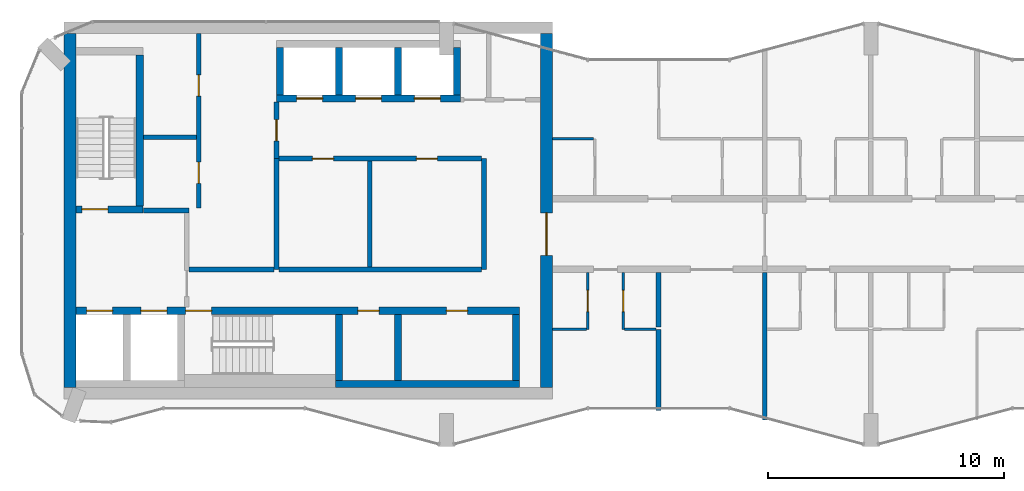
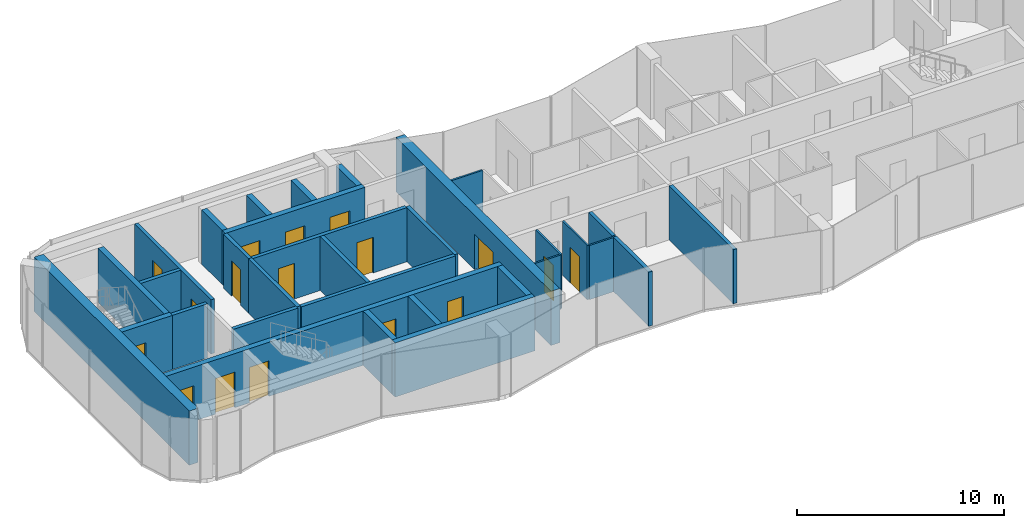
# One storey, part 6 of 9: 32 walls, 17 doors, 17 openings.
"""IFC4 building model written with IfcOpenShell, lengths in metres."""

from ifc_helpers import new_model, si_unit, direction, frame, frame_2d, origin, place, context, subcontext, project, spatial, rectangle, extrude, material, layer, layer_set, type_object, element, fill, save


model = new_model("IFC4")

# Units and contexts
model_context = context("Model", 3, precision=1e-05, world=origin(), true_north=direction((0.0, 1.0)))
body_context = subcontext(model_context, "Body", "Model", "MODEL_VIEW")
ifc_project = project(units=[si_unit("LENGTHUNIT", "METRE"), si_unit("AREAUNIT", "SQUARE_METRE"), si_unit("VOLUMEUNIT", "CUBIC_METRE"), si_unit("PLANEANGLEUNIT", "RADIAN"), si_unit("MASSUNIT", "GRAM", prefix="KILO")], contexts=[model_context])

# Site, building, storey
site_placement = place(None, origin())
site = spatial("IfcSite", under=ifc_project, at=site_placement, CompositionType="ELEMENT")
building_placement = place(site_placement, origin())
building = spatial("IfcBuilding", under=site, at=building_placement, Name="Plateau Cross Towers", CompositionType="ELEMENT")
storey_placement = place(building_placement, frame((0.0, 0.0, 232.89990234375)))
storey = spatial("IfcBuildingStorey", under=building, at=storey_placement, Name="L61", CompositionType="ELEMENT", Elevation=232.89990234375)

# Walls
ifc_material_1 = material(Name="Concrete block, plastered both sides", Category="concrete")
ifc_layer_1 = layer(ifc_material_1, 0.199951171875)
ifc_layer_set_1 = layer_set([ifc_layer_1], Name="Concrete block, plastered both sides")
wall_type_1 = type_object("IfcWallType", Name="Core partition 200", PredefinedType="PARTITIONING", material=ifc_layer_set_1)
wall_1_placement = place(storey_placement, frame((5.14990234375, 10.0, 0.0), z_axis=(0.0, 0.0, 1.0), x_axis=(1.0, 0.0, 0.0)))
element("IfcWall", 1, at=wall_1_placement, inside=storey, type_object=wall_type_1, Name="Core partition", PredefinedType="PARTITIONING", context=body_context, shape_type="SweptSolid", body=[
    extrude(rectangle(XDim=1.9501953125, YDim=0.199951171875, at=frame_2d((0.97509765625, 0.0))), origin(), (0.0, 0.0, 1.0), 3.2001953125),
])
wall_2_placement = place(storey_placement, frame((7.10009765625, 7.5, 0.0), z_axis=(0.0, 0.0, 1.0), x_axis=(1.0, 0.0, 0.0)))
element("IfcWall", 2, at=wall_2_placement, inside=storey, type_object=wall_type_1, Name="Core partition", PredefinedType="PARTITIONING", context=body_context, shape_type="SweptSolid", body=[
    extrude(rectangle(XDim=3.599853515625, YDim=0.199951171875, at=frame_2d((1.7998046875, 0.0))), origin(), (0.0, 0.0, 1.0), 3.2001953125),
])

# Wall, opening, door
wall_3_placement = place(storey_placement, frame((10.800048828125, 12.199951171875, 0.0), z_axis=(0.0, 0.0, 1.0), x_axis=(0.0, 1.0, 0.0)))
wall_3 = element("IfcWall", 3, at=wall_3_placement, inside=storey, type_object=wall_type_1, Name="Core partition", PredefinedType="PARTITIONING", context=body_context, shape_type="SweptSolid", body=[
    extrude(rectangle(XDim=2.400146484375, YDim=0.199951171875, at=frame_2d((1.2001953125, 0.0))), origin(), (0.0, 0.0, 1.0), 3.2001953125),
])
opening_1_placement = place(wall_3_placement, frame((0.75, 0.0, 0.0)))
opening_1 = element("IfcOpeningElement", 4, at=opening_1_placement, cuts=wall_3, Name="Opening RD1", PredefinedType="OPENING", context=body_context, shape_type="SweptSolid", body=[
    extrude(rectangle(XDim=0.89990234375, YDim=2.10009765625, at=frame_2d((0.449951171875, 1.050048828125))), frame((0.0, 0.10986328125, 0.0), z_axis=(0.0, -1.0, 0.0), x_axis=(1.0, 0.0, 0.0)), (0.0, 0.0, 1.0), 0.219970703125),
])
ifc_material_2 = material(Name="Timber, fire-resisting leaf", Category="wood")
door_type_1 = type_object("IfcDoorType", Name="Core service door 900", OperationType="NOTDEFINED", PredefinedType="DOOR", material=ifc_material_2)
door_1_placement = place(opening_1_placement, origin())
door_1 = element("IfcDoor", 5, at=door_1_placement, inside=storey, type_object=door_type_1, Name="Core service door RD1", OperationType="SINGLE_SWING_LEFT", OverallHeight=2.10009765625, OverallWidth=0.89990234375, PredefinedType="DOOR", context=body_context, shape_type="SweptSolid", body=[
    extrude(rectangle(XDim=0.89990234375, YDim=2.10009765625, at=frame_2d((0.449951171875, 1.050048828125))), frame((0.0, 0.02490234375, 0.0), z_axis=(0.0, -1.0, 0.0), x_axis=(1.0, 0.0, 0.0)), (0.0, 0.0, 1.0), 0.050048828125),
])
fill(opening_1, door_1)

# Walls
wall_4_placement = place(storey_placement, frame((10.800048828125, 7.5, 0.0), z_axis=(0.0, 0.0, 1.0), x_axis=(0.0, 1.0, 0.0)))
element("IfcWall", 6, at=wall_4_placement, inside=storey, type_object=wall_type_1, Name="Core partition", PredefinedType="PARTITIONING", context=body_context, shape_type="SweptSolid", body=[
    extrude(rectangle(XDim=4.699951171875, YDim=0.199951171875, at=frame_2d((2.35009765625, 0.0))), origin(), (0.0, 0.0, 1.0), 3.2001953125),
])
wall_5_placement = place(storey_placement, frame((10.89990234375, 7.5, 0.0), z_axis=(0.0, 0.0, 1.0), x_axis=(1.0, 0.0, 0.0)))
element("IfcWall", 7, at=wall_5_placement, inside=storey, type_object=wall_type_1, Name="Core partition", PredefinedType="PARTITIONING", context=body_context, shape_type="SweptSolid", body=[
    extrude(rectangle(XDim=8.60009765625, YDim=0.199951171875, at=frame_2d((4.300048828125, 0.0))), origin(), (0.0, 0.0, 1.0), 3.2001953125),
])
wall_6_placement = place(storey_placement, frame((19.60009765625, 7.5, 0.0), z_axis=(0.0, 0.0, 1.0), x_axis=(0.0, 1.0, 0.0)))
element("IfcWall", 8, at=wall_6_placement, inside=storey, type_object=wall_type_1, Name="Core partition", PredefinedType="PARTITIONING", context=body_context, shape_type="SweptSolid", body=[
    extrude(rectangle(XDim=4.699951171875, YDim=0.199951171875, at=frame_2d((2.35009765625, 0.0))), origin(), (0.0, 0.0, 1.0), 3.2001953125),
])

# Wall, openings, doors
wall_7_placement = place(storey_placement, frame((10.89990234375, 12.199951171875, 0.0), z_axis=(0.0, 0.0, 1.0), x_axis=(1.0, 0.0, 0.0)))
wall_7 = element("IfcWall", 9, at=wall_7_placement, inside=storey, type_object=wall_type_1, Name="Core partition", PredefinedType="PARTITIONING", context=body_context, shape_type="SweptSolid", body=[
    extrude(rectangle(XDim=8.60009765625, YDim=0.199951171875, at=frame_2d((4.300048828125, 0.0))), origin(), (0.0, 0.0, 1.0), 3.2001953125),
])
opening_2_placement = place(wall_7_placement, frame((1.425048828125, 0.0, 0.0)))
opening_2 = element("IfcOpeningElement", 10, at=opening_2_placement, cuts=wall_7, Name="Opening RD1", PredefinedType="OPENING", context=body_context, shape_type="SweptSolid", body=[
    extrude(rectangle(XDim=0.89990234375, YDim=2.10009765625, at=frame_2d((0.449951171875, 1.050048828125))), frame((0.0, 0.10986328125, 0.0), z_axis=(0.0, -1.0, 0.0), x_axis=(1.0, 0.0, 0.0)), (0.0, 0.0, 1.0), 0.219970703125),
])
opening_3_placement = place(wall_7_placement, frame((5.824951171875, 0.0, 0.0)))
opening_3 = element("IfcOpeningElement", 11, at=opening_3_placement, cuts=wall_7, Name="Opening RD1", PredefinedType="OPENING", context=body_context, shape_type="SweptSolid", body=[
    extrude(rectangle(XDim=0.89990234375, YDim=2.10009765625, at=frame_2d((0.449951171875, 1.050048828125))), frame((0.0, 0.10986328125, 0.0), z_axis=(0.0, -1.0, 0.0), x_axis=(1.0, 0.0, 0.0)), (0.0, 0.0, 1.0), 0.219970703125),
])
door_2_placement = place(opening_2_placement, origin())
door_2 = element("IfcDoor", 12, at=door_2_placement, inside=storey, type_object=door_type_1, Name="Core service door RD1", OperationType="SINGLE_SWING_LEFT", OverallHeight=2.10009765625, OverallWidth=0.89990234375, PredefinedType="DOOR", context=body_context, shape_type="SweptSolid", body=[
    extrude(rectangle(XDim=0.89990234375, YDim=2.10009765625, at=frame_2d((0.449951171875, 1.050048828125))), frame((0.0, 0.02490234375, 0.0), z_axis=(0.0, -1.0, 0.0), x_axis=(1.0, 0.0, 0.0)), (0.0, 0.0, 1.0), 0.050048828125),
])
fill(opening_2, door_2)
door_3_placement = place(opening_3_placement, origin())
door_3 = element("IfcDoor", 13, at=door_3_placement, inside=storey, type_object=door_type_1, Name="Core service door RD1", OperationType="SINGLE_SWING_LEFT", OverallHeight=2.10009765625, OverallWidth=0.89990234375, PredefinedType="DOOR", context=body_context, shape_type="SweptSolid", body=[
    extrude(rectangle(XDim=0.89990234375, YDim=2.10009765625, at=frame_2d((0.449951171875, 1.050048828125))), frame((0.0, 0.02490234375, 0.0), z_axis=(0.0, -1.0, 0.0), x_axis=(1.0, 0.0, 0.0)), (0.0, 0.0, 1.0), 0.050048828125),
])
fill(opening_3, door_3)

# Wall
wall_8_placement = place(storey_placement, frame((14.75, 7.60009765625, 0.0), z_axis=(0.0, 0.0, 1.0), x_axis=(0.0, 1.0, 0.0)))
element("IfcWall", 14, at=wall_8_placement, inside=storey, type_object=wall_type_1, Name="Core partition", PredefinedType="PARTITIONING", context=body_context, shape_type="SweptSolid", body=[
    extrude(rectangle(XDim=4.5, YDim=0.199951171875, at=frame_2d((2.25, 0.0))), origin(), (0.0, 0.0, 1.0), 3.2001953125),
])

# Wall, openings, doors
wall_9_placement = place(storey_placement, frame((7.5, 10.10009765625, 0.0), z_axis=(0.0, 0.0, 1.0), x_axis=(0.0, 1.0, 0.0)))
wall_9 = element("IfcWall", 15, at=wall_9_placement, inside=storey, type_object=wall_type_1, Name="Core partition", PredefinedType="PARTITIONING", context=body_context, shape_type="SweptSolid", body=[
    extrude(rectangle(XDim=7.39990234375, YDim=0.199951171875, at=frame_2d((3.699951171875, 0.0))), origin(), (0.0, 0.0, 1.0), 3.2001953125),
])
opening_4_placement = place(wall_9_placement, frame((1.050048828125, 0.0, 0.0)))
opening_4 = element("IfcOpeningElement", 16, at=opening_4_placement, cuts=wall_9, Name="Opening RD1", PredefinedType="OPENING", context=body_context, shape_type="SweptSolid", body=[
    extrude(rectangle(XDim=0.89990234375, YDim=2.10009765625, at=frame_2d((0.449951171875, 1.050048828125))), frame((0.0, 0.10986328125, 0.0), z_axis=(0.0, -1.0, 0.0), x_axis=(1.0, 0.0, 0.0)), (0.0, 0.0, 1.0), 0.219970703125),
])
opening_5_placement = place(wall_9_placement, frame((4.75, 0.0, 0.0)))
opening_5 = element("IfcOpeningElement", 17, at=opening_5_placement, cuts=wall_9, Name="Opening RD1", PredefinedType="OPENING", context=body_context, shape_type="SweptSolid", body=[
    extrude(rectangle(XDim=0.89990234375, YDim=2.10009765625, at=frame_2d((0.449951171875, 1.050048828125))), frame((0.0, 0.10986328125, 0.0), z_axis=(0.0, -1.0, 0.0), x_axis=(1.0, 0.0, 0.0)), (0.0, 0.0, 1.0), 0.219970703125),
])
door_4_placement = place(opening_4_placement, origin())
door_4 = element("IfcDoor", 18, at=door_4_placement, inside=storey, type_object=door_type_1, Name="Core service door RD1", OperationType="SINGLE_SWING_RIGHT", OverallHeight=2.10009765625, OverallWidth=0.89990234375, PredefinedType="DOOR", context=body_context, shape_type="SweptSolid", body=[
    extrude(rectangle(XDim=0.89990234375, YDim=2.10009765625, at=frame_2d((0.449951171875, 1.050048828125))), frame((0.0, 0.02490234375, 0.0), z_axis=(0.0, -1.0, 0.0), x_axis=(1.0, 0.0, 0.0)), (0.0, 0.0, 1.0), 0.050048828125),
])
fill(opening_4, door_4)
door_5_placement = place(opening_5_placement, origin())
door_5 = element("IfcDoor", 19, at=door_5_placement, inside=storey, type_object=door_type_1, Name="Core service door RD1", OperationType="SINGLE_SWING_RIGHT", OverallHeight=2.10009765625, OverallWidth=0.89990234375, PredefinedType="DOOR", context=body_context, shape_type="SweptSolid", body=[
    extrude(rectangle(XDim=0.89990234375, YDim=2.10009765625, at=frame_2d((0.449951171875, 1.050048828125))), frame((0.0, 0.02490234375, 0.0), z_axis=(0.0, -1.0, 0.0), x_axis=(1.0, 0.0, 0.0)), (0.0, 0.0, 1.0), 0.050048828125),
])
fill(opening_5, door_5)

# Walls
wall_10_placement = place(storey_placement, frame((5.14990234375, 13.10009765625, 0.0), z_axis=(0.0, 0.0, 1.0), x_axis=(1.0, 0.0, 0.0)))
element("IfcWall", 20, at=wall_10_placement, inside=storey, type_object=wall_type_1, Name="Core partition", PredefinedType="PARTITIONING", context=body_context, shape_type="SweptSolid", body=[
    extrude(rectangle(XDim=2.25, YDim=0.199951171875, at=frame_2d((1.125, 0.0))), origin(), (0.0, 0.0, 1.0), 3.2001953125),
])
ifc_material_3 = material(Name="Concrete C60/75", Category="concrete")
ifc_layer_2 = layer(ifc_material_3, 0.300048828125)
ifc_layer_set_2 = layer_set([ifc_layer_2], Name="Concrete C60/75")
wall_type_2 = type_object("IfcWallType", Name="Core shaft wall 300", PredefinedType="SHEAR", material=ifc_layer_set_2)
wall_11_placement = place(storey_placement, frame((13.300048828125, 2.64990234375, 0.0), z_axis=(0.0, 0.0, 1.0), x_axis=(1.0, 0.0, 0.0)))
element("IfcWall", 21, at=wall_11_placement, inside=storey, type_object=wall_type_2, Name="A-sb-back3@L61", PredefinedType="SHEAR", context=body_context, shape_type="SweptSolid", body=[
    extrude(rectangle(XDim=7.800048828125, YDim=0.300048828125, at=frame_2d((3.89990234375, 0.0))), origin(), (0.0, 0.0, 1.0), 3.2001953125),
])
for number, where, z_axis, x_axis, name in (
    (22, (13.449951171875, 2.800048828125, 0.0), (0.0, 0.0, 1.0), (0.0, 1.0, 0.0), "A-sb-v3@L61"),
    (23, (15.949951171875, 2.800048828125, 0.0), (0.0, 0.0, 1.0), (0.0, 1.0, 0.0), "A-sb-v4@L61"),
    (24, (20.949951171875, 2.800048828125, 0.0), (0.0, 0.0, 1.0), (0.0, 1.0, 0.0), "A-sb-v6@L61"),
):
    element("IfcWall", number, at=place(storey_placement, frame(where, z_axis=z_axis, x_axis=x_axis)), inside=storey, type_object=wall_type_2, Name=name, PredefinedType="SHEAR", context=body_context, shape_type="SweptSolid", body=[
        extrude(rectangle(XDim=2.800048828125, YDim=0.300048828125, at=frame_2d((1.39990234375, 0.0))), origin(), (0.0, 0.0, 1.0), 3.2001953125),
    ])

# Wall, openings, doors
wall_12_placement = place(storey_placement, frame((2.300048828125, 5.75, 0.0), z_axis=(0.0, 0.0, 1.0), x_axis=(1.0, 0.0, 0.0)))
wall_12 = element("IfcWall", 25, at=wall_12_placement, inside=storey, type_object=wall_type_2, Name="A-sb-front@L61", PredefinedType="SHEAR", context=body_context, shape_type="SweptSolid", body=[
    extrude(rectangle(XDim=18.800048828125, YDim=0.300048828125, at=frame_2d((9.39990234375, 0.0))), origin(), (0.0, 0.0, 1.0), 3.2001953125),
])
opening_6_placement = place(wall_12_placement, frame((4.64990234375, 0.0, 0.0)))
opening_6 = element("IfcOpeningElement", 26, at=opening_6_placement, cuts=wall_12, Name="Opening SD", PredefinedType="OPENING", context=body_context, shape_type="SweptSolid", body=[
    extrude(rectangle(XDim=1.10009765625, YDim=2.10009765625, at=frame_2d((0.550048828125, 1.050048828125))), frame((0.0, 0.159912109375, 0.0), z_axis=(0.0, -1.0, 0.0), x_axis=(1.0, 0.0, 0.0)), (0.0, 0.0, 1.0), 0.320068359375),
])
opening_7_placement = place(wall_12_placement, frame((0.449951171875, 0.0, 0.0)))
opening_7 = element("IfcOpeningElement", 27, at=opening_7_placement, cuts=wall_12, Name="Opening LD", PredefinedType="OPENING", context=body_context, shape_type="SweptSolid", body=[
    extrude(rectangle(XDim=1.10009765625, YDim=2.10009765625, at=frame_2d((0.550048828125, 1.050048828125))), frame((0.0, 0.159912109375, 0.0), z_axis=(0.0, -1.0, 0.0), x_axis=(1.0, 0.0, 0.0)), (0.0, 0.0, 1.0), 0.320068359375),
])
opening_8_placement = place(wall_12_placement, frame((2.75, 0.0, 0.0)))
opening_8 = element("IfcOpeningElement", 28, at=opening_8_placement, cuts=wall_12, Name="Opening LD", PredefinedType="OPENING", context=body_context, shape_type="SweptSolid", body=[
    extrude(rectangle(XDim=1.10009765625, YDim=2.10009765625, at=frame_2d((0.550048828125, 1.050048828125))), frame((0.0, 0.159912109375, 0.0), z_axis=(0.0, -1.0, 0.0), x_axis=(1.0, 0.0, 0.0)), (0.0, 0.0, 1.0), 0.320068359375),
])
opening_9_placement = place(wall_12_placement, frame((11.949951171875, 0.0, 0.0)))
opening_9 = element("IfcOpeningElement", 29, at=opening_9_placement, cuts=wall_12, Name="Opening RD2", PredefinedType="OPENING", context=body_context, shape_type="SweptSolid", body=[
    extrude(rectangle(XDim=0.89990234375, YDim=2.10009765625, at=frame_2d((0.449951171875, 1.050048828125))), frame((0.0, 0.159912109375, 0.0), z_axis=(0.0, -1.0, 0.0), x_axis=(1.0, 0.0, 0.0)), (0.0, 0.0, 1.0), 0.320068359375),
])
opening_10_placement = place(wall_12_placement, frame((15.699951171875, 0.0, 0.0)))
opening_10 = element("IfcOpeningElement", 30, at=opening_10_placement, cuts=wall_12, Name="Opening RD2", PredefinedType="OPENING", context=body_context, shape_type="SweptSolid", body=[
    extrude(rectangle(XDim=0.89990234375, YDim=2.10009765625, at=frame_2d((0.449951171875, 1.050048828125))), frame((0.0, 0.159912109375, 0.0), z_axis=(0.0, -1.0, 0.0), x_axis=(1.0, 0.0, 0.0)), (0.0, 0.0, 1.0), 0.320068359375),
])
ifc_material_4 = material(Name="Steel, fire-resisting leaf", Category="steel")
door_type_2 = type_object("IfcDoorType", Name="Core riser door 900", OperationType="NOTDEFINED", PredefinedType="DOOR", material=ifc_material_4)
door_6_placement = place(opening_9_placement, origin())
door_6 = element("IfcDoor", 31, at=door_6_placement, inside=storey, type_object=door_type_2, Name="Core riser door RD2", OperationType="SINGLE_SWING_LEFT", OverallHeight=2.10009765625, OverallWidth=0.89990234375, PredefinedType="DOOR", context=body_context, shape_type="SweptSolid", body=[
    extrude(rectangle(XDim=0.89990234375, YDim=2.10009765625, at=frame_2d((0.449951171875, 1.050048828125))), frame((0.0, 0.02490234375, 0.0), z_axis=(0.0, -1.0, 0.0), x_axis=(1.0, 0.0, 0.0)), (0.0, 0.0, 1.0), 0.050048828125),
])
fill(opening_9, door_6)
door_7_placement = place(opening_10_placement, origin())
door_7 = element("IfcDoor", 32, at=door_7_placement, inside=storey, type_object=door_type_2, Name="Core riser door RD2", OperationType="SINGLE_SWING_LEFT", OverallHeight=2.10009765625, OverallWidth=0.89990234375, PredefinedType="DOOR", context=body_context, shape_type="SweptSolid", body=[
    extrude(rectangle(XDim=0.89990234375, YDim=2.10009765625, at=frame_2d((0.449951171875, 1.050048828125))), frame((0.0, 0.02490234375, 0.0), z_axis=(0.0, -1.0, 0.0), x_axis=(1.0, 0.0, 0.0)), (0.0, 0.0, 1.0), 0.050048828125),
])
fill(opening_10, door_7)
ifc_material_5 = material(Name="Stainless steel, fire-resisting sliding leaves", Category="steel")
door_type_3 = type_object("IfcDoorType", Name="Lift landing door 1100", OperationType="NOTDEFINED", PredefinedType="DOOR", material=ifc_material_5)
door_8_placement = place(opening_7_placement, origin())
door_8 = element("IfcDoor", 33, at=door_8_placement, inside=storey, type_object=door_type_3, Name="Lift landing door LD", OperationType="DOUBLE_DOOR_SLIDING", OverallHeight=2.10009765625, OverallWidth=1.10009765625, PredefinedType="DOOR", context=body_context, shape_type="SweptSolid", body=[
    extrude(rectangle(XDim=1.10009765625, YDim=2.10009765625, at=frame_2d((0.550048828125, 1.050048828125))), frame((0.0, 0.02490234375, 0.0), z_axis=(0.0, -1.0, 0.0), x_axis=(1.0, 0.0, 0.0)), (0.0, 0.0, 1.0), 0.050048828125),
])
fill(opening_7, door_8)
door_9_placement = place(opening_8_placement, origin())
door_9 = element("IfcDoor", 34, at=door_9_placement, inside=storey, type_object=door_type_3, Name="Lift landing door LD", OperationType="DOUBLE_DOOR_SLIDING", OverallHeight=2.10009765625, OverallWidth=1.10009765625, PredefinedType="DOOR", context=body_context, shape_type="SweptSolid", body=[
    extrude(rectangle(XDim=1.10009765625, YDim=2.10009765625, at=frame_2d((0.550048828125, 1.050048828125))), frame((0.0, 0.02490234375, 0.0), z_axis=(0.0, -1.0, 0.0), x_axis=(1.0, 0.0, 0.0)), (0.0, 0.0, 1.0), 0.050048828125),
])
fill(opening_8, door_9)
door_type_4 = type_object("IfcDoorType", Name="Stair door 1100", OperationType="NOTDEFINED", PredefinedType="DOOR", material=ifc_material_4)
door_10_placement = place(opening_6_placement, origin())
door_10 = element("IfcDoor", 35, at=door_10_placement, inside=storey, type_object=door_type_4, Name="Stair door SD", OperationType="SINGLE_SWING_LEFT", OverallHeight=2.10009765625, OverallWidth=1.10009765625, PredefinedType="DOOR", context=body_context, shape_type="SweptSolid", body=[
    extrude(rectangle(XDim=1.10009765625, YDim=2.10009765625, at=frame_2d((0.550048828125, 1.050048828125))), frame((0.0, 0.02490234375, 0.0), z_axis=(0.0, -1.0, 0.0), x_axis=(1.0, 0.0, 0.0)), (0.0, 0.0, 1.0), 0.050048828125),
])
fill(opening_6, door_10)

# Wall, opening, door
wall_13_placement = place(storey_placement, frame((2.300048828125, 10.050048828125, 0.0), z_axis=(0.0, 0.0, 1.0), x_axis=(1.0, 0.0, 0.0)))
wall_13 = element("IfcWall", 36, at=wall_13_placement, inside=storey, type_object=wall_type_2, Name="A-st1-S@L61", PredefinedType="SHEAR", context=body_context, shape_type="SweptSolid", body=[
    extrude(rectangle(XDim=2.849853515625, YDim=0.300048828125, at=frame_2d((1.4248046875, 0.0))), origin(), (0.0, 0.0, 1.0), 3.2001953125),
])
opening_11_placement = place(wall_13_placement, frame((0.25, 0.0, 0.0)))
opening_11 = element("IfcOpeningElement", 37, at=opening_11_placement, cuts=wall_13, Name="Opening SD", PredefinedType="OPENING", context=body_context, shape_type="SweptSolid", body=[
    extrude(rectangle(XDim=1.10009765625, YDim=2.10009765625, at=frame_2d((0.550048828125, 1.050048828125))), frame((0.0, 0.159912109375, 0.0), z_axis=(0.0, -1.0, 0.0), x_axis=(1.0, 0.0, 0.0)), (0.0, 0.0, 1.0), 0.320068359375),
])
door_11_placement = place(opening_11_placement, origin())
door_11 = element("IfcDoor", 38, at=door_11_placement, inside=storey, type_object=door_type_4, Name="Stair door SD", OperationType="SINGLE_SWING_RIGHT", OverallHeight=2.10009765625, OverallWidth=1.10009765625, PredefinedType="DOOR", context=body_context, shape_type="SweptSolid", body=[
    extrude(rectangle(XDim=1.10009765625, YDim=2.10009765625, at=frame_2d((0.550048828125, 1.050048828125))), frame((0.0, 0.02490234375, 0.0), z_axis=(0.0, -1.0, 0.0), x_axis=(1.0, 0.0, 0.0)), (0.0, 0.0, 1.0), 0.050048828125),
])
fill(opening_11, door_11)

# Wall
wall_14_placement = place(storey_placement, frame((5.0, 10.199951171875, 0.0), z_axis=(0.0, 0.0, 1.0), x_axis=(0.0, 1.0, 0.0)))
element("IfcWall", 39, at=wall_14_placement, inside=storey, type_object=wall_type_2, Name="A-st1-E@L61", PredefinedType="SHEAR", context=body_context, shape_type="SweptSolid", body=[
    extrude(rectangle(XDim=6.400146484375, YDim=0.300048828125, at=frame_2d((3.2001953125, 0.0))), origin(), (0.0, 0.0, 1.0), 3.2001953125),
])

# Wall, openings, doors
wall_15_placement = place(storey_placement, frame((10.800048828125, 14.75, 0.0), z_axis=(0.0, 0.0, 1.0), x_axis=(1.0, 0.0, 0.0)))
wall_15 = element("IfcWall", 40, at=wall_15_placement, inside=storey, type_object=wall_type_2, Name="A-nb-front@L61", PredefinedType="SHEAR", context=body_context, shape_type="SweptSolid", body=[
    extrude(rectangle(XDim=7.800048828125, YDim=0.300048828125, at=frame_2d((3.89990234375, 0.0))), origin(), (0.0, 0.0, 1.0), 3.2001953125),
])
opening_12_placement = place(wall_15_placement, frame((0.85009765625, 0.0, 0.0)))
opening_12 = element("IfcOpeningElement", 41, at=opening_12_placement, cuts=wall_15, Name="Opening LD", PredefinedType="OPENING", context=body_context, shape_type="SweptSolid", body=[
    extrude(rectangle(XDim=1.10009765625, YDim=2.10009765625, at=frame_2d((0.550048828125, 1.050048828125))), frame((0.0, 0.159912109375, 0.0), z_axis=(0.0, -1.0, 0.0), x_axis=(1.0, 0.0, 0.0)), (0.0, 0.0, 1.0), 0.320068359375),
])
opening_13_placement = place(wall_15_placement, frame((3.35009765625, 0.0, 0.0)))
opening_13 = element("IfcOpeningElement", 42, at=opening_13_placement, cuts=wall_15, Name="Opening LD", PredefinedType="OPENING", context=body_context, shape_type="SweptSolid", body=[
    extrude(rectangle(XDim=1.10009765625, YDim=2.10009765625, at=frame_2d((0.550048828125, 1.050048828125))), frame((0.0, 0.159912109375, 0.0), z_axis=(0.0, -1.0, 0.0), x_axis=(1.0, 0.0, 0.0)), (0.0, 0.0, 1.0), 0.320068359375),
])
opening_14_placement = place(wall_15_placement, frame((5.85009765625, 0.0, 0.0)))
opening_14 = element("IfcOpeningElement", 43, at=opening_14_placement, cuts=wall_15, Name="Opening LD", PredefinedType="OPENING", context=body_context, shape_type="SweptSolid", body=[
    extrude(rectangle(XDim=1.10009765625, YDim=2.10009765625, at=frame_2d((0.550048828125, 1.050048828125))), frame((0.0, 0.159912109375, 0.0), z_axis=(0.0, -1.0, 0.0), x_axis=(1.0, 0.0, 0.0)), (0.0, 0.0, 1.0), 0.320068359375),
])
door_12_placement = place(opening_12_placement, origin())
door_12 = element("IfcDoor", 44, at=door_12_placement, inside=storey, type_object=door_type_3, Name="Lift landing door LD", OperationType="DOUBLE_DOOR_SLIDING", OverallHeight=2.10009765625, OverallWidth=1.10009765625, PredefinedType="DOOR", context=body_context, shape_type="SweptSolid", body=[
    extrude(rectangle(XDim=1.10009765625, YDim=2.10009765625, at=frame_2d((0.550048828125, 1.050048828125))), frame((0.0, 0.02490234375, 0.0), z_axis=(0.0, -1.0, 0.0), x_axis=(1.0, 0.0, 0.0)), (0.0, 0.0, 1.0), 0.050048828125),
])
fill(opening_12, door_12)
door_13_placement = place(opening_13_placement, origin())
door_13 = element("IfcDoor", 45, at=door_13_placement, inside=storey, type_object=door_type_3, Name="Lift landing door LD", OperationType="DOUBLE_DOOR_SLIDING", OverallHeight=2.10009765625, OverallWidth=1.10009765625, PredefinedType="DOOR", context=body_context, shape_type="SweptSolid", body=[
    extrude(rectangle(XDim=1.10009765625, YDim=2.10009765625, at=frame_2d((0.550048828125, 1.050048828125))), frame((0.0, 0.02490234375, 0.0), z_axis=(0.0, -1.0, 0.0), x_axis=(1.0, 0.0, 0.0)), (0.0, 0.0, 1.0), 0.050048828125),
])
fill(opening_13, door_13)
door_14_placement = place(opening_14_placement, origin())
door_14 = element("IfcDoor", 46, at=door_14_placement, inside=storey, type_object=door_type_3, Name="Lift landing door LD", OperationType="DOUBLE_DOOR_SLIDING", OverallHeight=2.10009765625, OverallWidth=1.10009765625, PredefinedType="DOOR", context=body_context, shape_type="SweptSolid", body=[
    extrude(rectangle(XDim=1.10009765625, YDim=2.10009765625, at=frame_2d((0.550048828125, 1.050048828125))), frame((0.0, 0.02490234375, 0.0), z_axis=(0.0, -1.0, 0.0), x_axis=(1.0, 0.0, 0.0)), (0.0, 0.0, 1.0), 0.050048828125),
])
fill(opening_14, door_14)

# Walls
for number, where, z_axis, x_axis, name in (
    (47, (10.949951171875, 14.89990234375, 0.0), (0.0, 0.0, 1.0), (0.0, 1.0, 0.0), "A-nb-v1@L61"),
    (48, (13.449951171875, 14.89990234375, 0.0), (0.0, 0.0, 1.0), (0.0, 1.0, 0.0), "A-nb-v2@L61"),
    (49, (15.949951171875, 14.89990234375, 0.0), (0.0, 0.0, 1.0), (0.0, 1.0, 0.0), "A-nb-v3@L61"),
    (50, (18.449951171875, 14.89990234375, 0.0), (0.0, 0.0, 1.0), (0.0, 1.0, 0.0), "A-nb-v4@L61"),
):
    element("IfcWall", number, at=place(storey_placement, frame(where, z_axis=z_axis, x_axis=x_axis)), inside=storey, type_object=wall_type_2, Name=name, PredefinedType="SHEAR", context=body_context, shape_type="SweptSolid", body=[
        extrude(rectangle(XDim=2.0, YDim=0.300048828125, at=frame_2d((1.0, 0.0))), origin(), (0.0, 0.0, 1.0), 3.2001953125),
    ])
ifc_layer_3 = layer(ifc_material_3, 0.5)
ifc_layer_set_3 = layer_set([ifc_layer_3], Name="Concrete C60/75")
wall_type_3 = type_object("IfcWallType", Name="Core shell wall 500", PredefinedType="SHEAR", material=ifc_layer_set_3)
wall_16_placement = place(storey_placement, frame((2.050048828125, 2.5, 0.0), z_axis=(0.0, 0.0, 1.0), x_axis=(0.0, 1.0, 0.0)))
element("IfcWall", 51, at=wall_16_placement, inside=storey, type_object=wall_type_3, Name="A-core-W@L61", PredefinedType="SHEAR", context=body_context, shape_type="SweptSolid", body=[
    extrude(rectangle(XDim=15.0, YDim=0.5, at=frame_2d((7.5, 0.0))), origin(), (0.0, 0.0, 1.0), 3.2001953125),
])

# Wall, opening, door
wall_17_placement = place(storey_placement, frame((22.25, 2.5, 0.0), z_axis=(0.0, 0.0, 1.0), x_axis=(0.0, 1.0, 0.0)))
wall_17 = element("IfcWall", 52, at=wall_17_placement, inside=storey, type_object=wall_type_3, Name="A-core-E@L61", PredefinedType="SHEAR", context=body_context, shape_type="SweptSolid", body=[
    extrude(rectangle(XDim=15.0, YDim=0.5, at=frame_2d((7.5, 0.0))), origin(), (0.0, 0.0, 1.0), 3.2001953125),
])
opening_15_placement = place(wall_17_placement, frame((5.60009765625, 0.0, 0.0)))
opening_15 = element("IfcOpeningElement", 53, at=opening_15_placement, cuts=wall_17, Name="Opening CD", PredefinedType="OPENING", context=body_context, shape_type="SweptSolid", body=[
    extrude(rectangle(XDim=1.800048828125, YDim=2.10009765625, at=frame_2d((0.89990234375, 1.050048828125))), frame((0.0, 0.260009765625, 0.0), z_axis=(0.0, -1.0, 0.0), x_axis=(1.0, 0.0, 0.0)), (0.0, 0.0, 1.0), 0.52001953125),
])
ifc_material_6 = material(Name="Steel, fire-resisting leaves", Category="steel")
door_type_5 = type_object("IfcDoorType", Name="Corridor door pair 1800", OperationType="NOTDEFINED", PredefinedType="DOOR", material=ifc_material_6)
door_15_placement = place(opening_15_placement, origin())
door_15 = element("IfcDoor", 54, at=door_15_placement, inside=storey, type_object=door_type_5, Name="Corridor door pair CD", OperationType="DOUBLE_DOOR_SINGLE_SWING", OverallHeight=2.10009765625, OverallWidth=1.800048828125, PredefinedType="DOOR", context=body_context, shape_type="SweptSolid", body=[
    extrude(rectangle(XDim=1.800048828125, YDim=2.10009765625, at=frame_2d((0.89990234375, 1.050048828125))), frame((0.0, 0.02490234375, 0.0), z_axis=(0.0, -1.0, 0.0), x_axis=(1.0, 0.0, 0.0)), (0.0, 0.0, 1.0), 0.050048828125),
])
fill(opening_15, door_15)

# Walls
ifc_material_7 = material(Name="Gypsum board on steel studs", Category="steel")
ifc_layer_4 = layer(ifc_material_7, 0.10009765625)
ifc_layer_set_4 = layer_set([ifc_layer_4], Name="Gypsum board on steel studs")
wall_type_4 = type_object("IfcWallType", Name="Flat partition 100", PredefinedType="PARTITIONING", material=ifc_layer_set_4)
wall_18_placement = place(storey_placement, frame((22.5, 4.96240234375, 0.0), z_axis=(0.0, 0.0, 1.0), x_axis=(1.0, 0.0, 0.0)))
element("IfcWall", 55, at=wall_18_placement, inside=storey, type_object=wall_type_4, Name="Partition wall", PredefinedType="PARTITIONING", context=body_context, shape_type="SweptSolid", body=[
    extrude(rectangle(XDim=1.449951171875, YDim=0.10009765625, at=frame_2d((0.72509765625, 0.0))), origin(), (0.0, 0.0, 1.0), 3.2001953125),
])
wall_19_placement = place(storey_placement, frame((25.550048828125, 4.96240234375, 0.0), z_axis=(0.0, 0.0, 1.0), x_axis=(1.0, 0.0, 0.0)))
element("IfcWall", 56, at=wall_19_placement, inside=storey, type_object=wall_type_4, Name="Partition wall", PredefinedType="PARTITIONING", context=body_context, shape_type="SweptSolid", body=[
    extrude(rectangle(XDim=1.349853515625, YDim=0.10009765625, at=frame_2d((0.6748046875, 0.0))), origin(), (0.0, 0.0, 1.0), 3.2001953125),
])
wall_20_placement = place(storey_placement, frame((24.25, 13.03759765625, 0.0), z_axis=(0.0, 0.0, 1.0), x_axis=(-1.0, 0.0, 0.0)))
element("IfcWall", 57, at=wall_20_placement, inside=storey, type_object=wall_type_4, Name="Partition wall", PredefinedType="PARTITIONING", context=body_context, shape_type="SweptSolid", body=[
    extrude(rectangle(XDim=1.75, YDim=0.10009765625, at=frame_2d((0.875, 0.0))), origin(), (0.0, 0.0, 1.0), 3.2001953125),
])

# Wall, opening, door
wall_21_placement = place(storey_placement, frame((24.0, 4.96240234375, 0.0), z_axis=(0.0, 0.0, 1.0), x_axis=(0.0, 1.0, 0.0)))
wall_21 = element("IfcWall", 58, at=wall_21_placement, inside=storey, type_object=wall_type_4, Name="Partition wall", PredefinedType="PARTITIONING", context=body_context, shape_type="SweptSolid", body=[
    extrude(rectangle(XDim=2.400146484375, YDim=0.10009765625, at=frame_2d((1.2001953125, 0.0))), origin(), (0.0, 0.0, 1.0), 3.2001953125),
])
opening_16_placement = place(wall_21_placement, frame((0.75, 0.0, 0.0)))
opening_16 = element("IfcOpeningElement", 59, at=opening_16_placement, cuts=wall_21, Name="Opening 61-12", PredefinedType="OPENING", context=body_context, shape_type="SweptSolid", body=[
    extrude(rectangle(XDim=0.89990234375, YDim=2.10009765625, at=frame_2d((0.449951171875, 1.050048828125))), frame((0.0, 0.06005859375, 0.0), z_axis=(0.0, -1.0, 0.0), x_axis=(1.0, 0.0, 0.0)), (0.0, 0.0, 1.0), 0.1201171875),
])
ifc_material_8 = material(Name="Timber leaf", Category="wood")
door_type_6 = type_object("IfcDoorType", Name="Flat room door 900", OperationType="NOTDEFINED", PredefinedType="DOOR", material=ifc_material_8)
door_16_placement = place(opening_16_placement, origin())
door_16 = element("IfcDoor", 60, at=door_16_placement, inside=storey, type_object=door_type_6, Name="Door 61-12", OperationType="SINGLE_SWING_RIGHT", OverallHeight=2.10009765625, OverallWidth=0.89990234375, PredefinedType="DOOR", context=body_context, shape_type="SweptSolid", body=[
    extrude(rectangle(XDim=0.89990234375, YDim=2.10009765625, at=frame_2d((0.449951171875, 1.050048828125))), frame((0.0, 0.02490234375, 0.0), z_axis=(0.0, -1.0, 0.0), x_axis=(1.0, 0.0, 0.0)), (0.0, 0.0, 1.0), 0.050048828125),
])
fill(opening_16, door_16)

wall_22_placement = place(storey_placement, frame((25.5, 7.362548828125, 0.0), z_axis=(0.0, 0.0, 1.0), x_axis=(0.0, -1.0, 0.0)))
wall_22 = element("IfcWall", 61, at=wall_22_placement, inside=storey, type_object=wall_type_4, Name="Partition wall", PredefinedType="PARTITIONING", context=body_context, shape_type="SweptSolid", body=[
    extrude(rectangle(XDim=2.400146484375, YDim=0.10009765625, at=frame_2d((1.2001953125, 0.0))), origin(), (0.0, 0.0, 1.0), 3.2001953125),
])
opening_17_placement = place(wall_22_placement, frame((0.75, 0.0, 0.0)))
opening_17 = element("IfcOpeningElement", 62, at=opening_17_placement, cuts=wall_22, Name="Opening 61-13", PredefinedType="OPENING", context=body_context, shape_type="SweptSolid", body=[
    extrude(rectangle(XDim=0.89990234375, YDim=2.10009765625, at=frame_2d((0.449951171875, 1.050048828125))), frame((0.0, 0.06005859375, 0.0), z_axis=(0.0, -1.0, 0.0), x_axis=(1.0, 0.0, 0.0)), (0.0, 0.0, 1.0), 0.1201171875),
])
door_17_placement = place(opening_17_placement, origin())
door_17 = element("IfcDoor", 63, at=door_17_placement, inside=storey, type_object=door_type_6, Name="Door 61-13", OperationType="SINGLE_SWING_RIGHT", OverallHeight=2.10009765625, OverallWidth=0.89990234375, PredefinedType="DOOR", context=body_context, shape_type="SweptSolid", body=[
    extrude(rectangle(XDim=0.89990234375, YDim=2.10009765625, at=frame_2d((0.449951171875, 1.050048828125))), frame((0.0, 0.02490234375, 0.0), z_axis=(0.0, -1.0, 0.0), x_axis=(1.0, 0.0, 0.0)), (0.0, 0.0, 1.0), 0.050048828125),
])
fill(opening_17, door_17)

# Walls
ifc_material_9 = material(Name="Gypsum board on steel studs, two layers each side", Category="steel")
ifc_layer_5 = layer(ifc_material_9, 0.199951171875)
ifc_layer_set_5 = layer_set([ifc_layer_5], Name="Gypsum board on steel studs, two layers each side")
wall_type_5 = type_object("IfcWallType", Name="Flat party wall 200", PredefinedType="PARTITIONING", material=ifc_layer_set_5)
wall_23_placement = place(storey_placement, frame((27.0, 4.96240234375, 0.0), z_axis=(0.0, 0.0, 1.0), x_axis=(0.0, -1.0, 0.0)))
element("IfcWall", 64, at=wall_23_placement, inside=storey, type_object=wall_type_5, Name="Party wall", PredefinedType="PARTITIONING", context=body_context, shape_type="SweptSolid", body=[
    extrude(rectangle(XDim=3.435546875, YDim=0.199951171875, at=frame_2d((1.7177734375, 0.0))), origin(), (0.0, 0.0, 1.0), 3.2001953125),
])
wall_24_placement = place(storey_placement, frame((27.0, 5.0625, 0.0), z_axis=(0.0, 0.0, 1.0), x_axis=(0.0, 1.0, 0.0)))
element("IfcWall", 65, at=wall_24_placement, inside=storey, type_object=wall_type_5, Name="Party wall", PredefinedType="PARTITIONING", context=body_context, shape_type="SweptSolid", body=[
    extrude(rectangle(XDim=2.300048828125, YDim=0.199951171875, at=frame_2d((1.14990234375, 0.0))), origin(), (0.0, 0.0, 1.0), 3.2001953125),
])
wall_25_placement = place(storey_placement, frame((31.5, 1.122314453125, 0.0), z_axis=(0.0, 0.0, 1.0), x_axis=(0.0, 1.0, 0.0)))
element("IfcWall", 66, at=wall_25_placement, inside=storey, type_object=wall_type_5, Name="Party wall", PredefinedType="PARTITIONING", context=body_context, shape_type="SweptSolid", body=[
    extrude(rectangle(XDim=6.240234375, YDim=0.199951171875, at=frame_2d((3.1201171875, 0.0))), origin(), (0.0, 0.0, 1.0), 3.2001953125),
])

save(model, "model.ifc")
